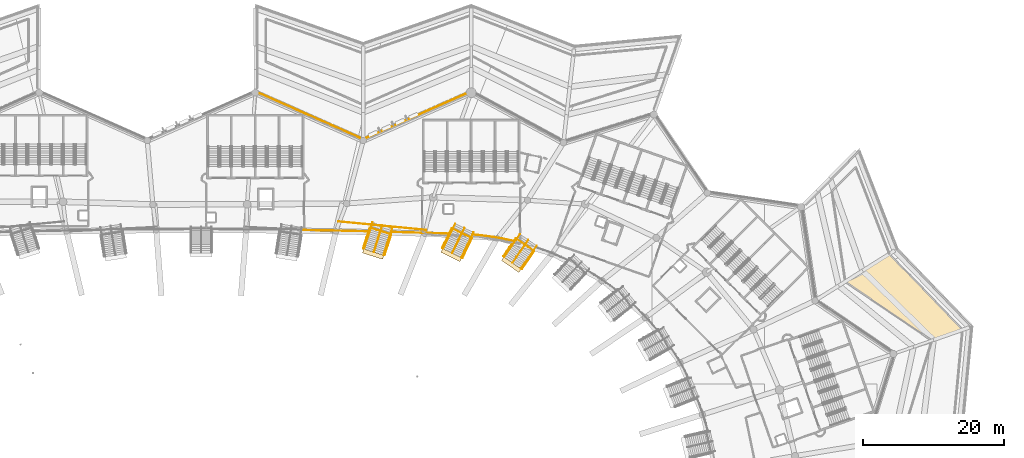
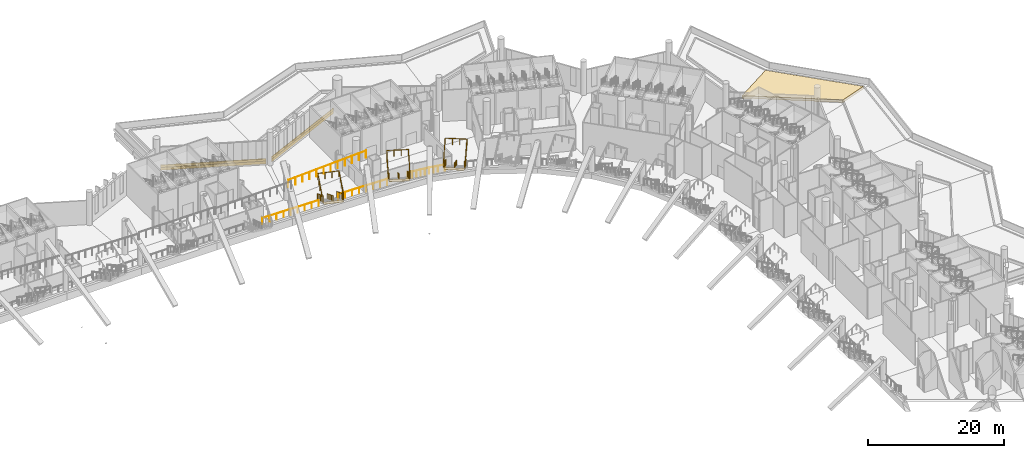
# One storey, part 166 of 173: 16 railings, 8 coverings.
"""IFC4 building model written with IfcOpenShell, lengths in metres."""

from ifc_helpers import new_model, si_unit, direction, frame, origin, origin_2d, place, context, subcontext, project, spatial, polyline, rectangle, circle, outline, extrude, material, layer, layer_set, type_object, element, save


model = new_model("IFC4")

# Units and contexts
model_context = context("Model", 3, precision=1e-05, world=origin(), true_north=direction((0.0, 1.0)))
body_context = subcontext(model_context, "Body", "Model", "MODEL_VIEW")
ifc_project = project(units=[si_unit("LENGTHUNIT", "METRE"), si_unit("AREAUNIT", "SQUARE_METRE"), si_unit("VOLUMEUNIT", "CUBIC_METRE"), si_unit("PLANEANGLEUNIT", "RADIAN"), si_unit("MASSUNIT", "GRAM", prefix="KILO")], contexts=[model_context])

# Site, building, storey
site_placement = place(None, origin())
site = spatial("IfcSite", under=ifc_project, at=site_placement, CompositionType="ELEMENT")
building_placement = place(site_placement, origin())
building = spatial("IfcBuilding", under=site, at=building_placement, Name="Meseta Stadium", CompositionType="ELEMENT")
storey_placement = place(building_placement, frame((0.0, 0.0, 18.0)))
storey = spatial("IfcBuildingStorey", under=building, at=storey_placement, Name="L03", CompositionType="ELEMENT", Elevation=18.0)

# Coverings
ifc_material_1 = material(Name="Guadarrama granite cladding", Category="masonry")
ifc_layer_1 = layer(ifc_material_1, 0.06005859375)
ifc_layer_set_1 = layer_set([ifc_layer_1], Name="Granite plinth cladding 60")
covering_type_1 = type_object("IfcCoveringType", Name="Granite plinth cladding 60", PredefinedType="CLADDING", material=ifc_layer_set_1)
covering_1_placement = place(storey_placement, frame((30.48974609375, 102.091064453125, 0.0), z_axis=(0.0, 0.0, 1.0), x_axis=(0.914139367606, 0.405400069798, 0.0)))
element("IfcCovering", 1, at=covering_1_placement, inside=storey, type_object=covering_type_1, Name="Granite plinth L03 F16", PredefinedType="CLADDING", context=body_context, shape_type="SweptSolid", body=[
    extrude(rectangle(XDim=15.384521484375, YDim=0.06005859375, at=origin_2d()), origin(), (0.0, 0.0, 1.0), 0.5),
])
covering_2_placement = place(storey_placement, frame((15.4189453125, 102.131591796875, 0.0), z_axis=(0.0, 0.0, 1.0), x_axis=(0.914139367606, -0.405400069798, 0.0)))
element("IfcCovering", 2, at=covering_2_placement, inside=storey, type_object=covering_type_1, Name="Granite plinth L03 F17", PredefinedType="CLADDING", context=body_context, shape_type="SweptSolid", body=[
    extrude(rectangle(XDim=15.58447265625, YDim=0.06005859375, at=origin_2d()), origin(), (0.0, 0.0, 1.0), 0.5),
])
ifc_material_2 = material(Name="Planting soil")
ifc_layer_2 = layer(ifc_material_2, 0.449951171875)
ifc_layer_set_2 = layer_set([ifc_layer_2], Name="Planting soil 450")
covering_type_2 = type_object("IfcCoveringType", Name="Planting soil 450", PredefinedType="FLOORING", material=ifc_layer_set_2)
covering_3_placement = place(storey_placement, origin())
element("IfcCovering", 3, at=covering_3_placement, inside=storey, type_object=covering_type_2, Name="Roof garden planting bed 1.1 panel 02", PredefinedType="FLOORING", context=body_context, shape_type="SweptSolid", body=[
    extrude(outline(polyline([(91.45068359375, 78.55859375), (103.7548828125, 70.20947265625), (108.0947265625, 71.727783203125), (97.7158203125, 82.48095703125), (97.711181640625, 82.492431640625), (91.45068359375, 78.55859375)])), origin(), (0.0, 0.0, 1.0), 0.449951171875),
])

# Railings
ifc_material_3 = material(Name="Steel S355", Category="steel")
railing_type_1 = type_object("IfcRailingType", Name="Plate edge guard 1100", PredefinedType="GUARDRAIL", material=ifc_material_3)
railing_1_placement = place(storey_placement, frame((44.42919921875, 84.310791015625, 0.0)))
element("IfcRailing", 4, at=railing_1_placement, inside=storey, type_object=railing_type_1, Name="L03 inner edge guard 16", PredefinedType="GUARDRAIL", context=body_context, shape_type="SweptSolid", body=[
    extrude(circle(Radius=0.02490234375, at=origin_2d()), frame((0.0, 0.0, 1.0751953125), z_axis=(-0.975167932407, 0.221466709924, 0.0), x_axis=(-0.221466709924, -0.975167932407, 0.0)), (0.0, 0.0, 1.0), 1.093505859375),
    extrude(circle(Radius=0.02490234375, at=origin_2d()), frame((-1.06640625, 0.2421875, 1.0751953125), z_axis=(-0.982401631843, 0.18678071033, 0.0), x_axis=(-0.18678071033, -0.982401631843, 0.0)), (0.0, 0.0, 1.0), 1.354248046875),
    extrude(circle(Radius=0.02490234375, at=origin_2d()), frame((-2.396728515625, 0.4951171875, 1.0751953125), z_axis=(-0.988417493259, 0.151759213954, 0.0), x_axis=(-0.151759213954, -0.988417493259, 0.0)), (0.0, 0.0, 1.0), 1.3544921875),
    extrude(circle(Radius=0.02490234375, at=origin_2d()), frame((-3.735595703125, 0.70068359375, 1.0751953125), z_axis=(-0.993204606365, 0.116381312482, 0.0), x_axis=(-0.116381312482, -0.993204606365, 0.0)), (0.0, 0.0, 1.0), 1.355224609375),
    extrude(circle(Radius=0.02490234375, at=origin_2d()), frame((-5.08154296875, 0.8583984375, 1.0751953125), z_axis=(-0.996729823051, 0.080806310654, 0.0), x_axis=(-0.080806310654, -0.996729823051, 0.0)), (0.0, 0.0, 1.0), 0.685791015625),
    extrude(circle(Radius=0.02001953125, at=origin_2d()), origin(), (0.0, 0.0, 1.0), 1.050048828125),
    extrude(circle(Radius=0.02001953125, at=origin_2d()), frame((-1.06640625, 0.2421875, 0.0)), (0.0, 0.0, 1.0), 1.050048828125),
    extrude(circle(Radius=0.02001953125, at=origin_2d()), frame((-1.7314453125, 0.36865234375, 0.0)), (0.0, 0.0, 1.0), 1.050048828125),
    extrude(circle(Radius=0.02001953125, at=origin_2d()), frame((-2.396728515625, 0.4951171875, 0.0)), (0.0, 0.0, 1.0), 1.050048828125),
    extrude(circle(Radius=0.02001953125, at=origin_2d()), frame((-3.066162109375, 0.597900390625, 0.0)), (0.0, 0.0, 1.0), 1.050048828125),
    extrude(circle(Radius=0.02001953125, at=origin_2d()), frame((-3.735595703125, 0.70068359375, 0.0)), (0.0, 0.0, 1.0), 1.050048828125),
    extrude(circle(Radius=0.02001953125, at=origin_2d()), frame((-4.40869140625, 0.779541015625, 0.0)), (0.0, 0.0, 1.0), 1.050048828125),
    extrude(circle(Radius=0.02001953125, at=origin_2d()), frame((-5.08154296875, 0.8583984375, 0.0)), (0.0, 0.0, 1.0), 1.050048828125),
    extrude(circle(Radius=0.02001953125, at=origin_2d()), frame((-5.76513671875, 0.913818359375, 0.0)), (0.0, 0.0, 1.0), 1.050048828125),
])
railing_2_placement = place(storey_placement, frame((35.2412109375, 85.368408203125, 0.0)))
element("IfcRailing", 5, at=railing_2_placement, inside=storey, type_object=railing_type_1, Name="L03 inner edge guard 17", PredefinedType="GUARDRAIL", context=body_context, shape_type="SweptSolid", body=[
    extrude(circle(Radius=0.02490234375, at=origin_2d()), frame((0.0, 0.0, 1.0751953125), z_axis=(-0.999521144506, 0.030943200959, 0.0), x_axis=(-0.030943200959, -0.999521144506, 0.0)), (0.0, 0.0, 1.0), 3.503173828125),
    extrude(circle(Radius=0.02490234375, at=origin_2d()), frame((-3.50146484375, 0.1083984375, 1.0751953125), z_axis=(-0.999597396645, 0.028373308227, 0.0), x_axis=(-0.028373308227, -0.999597396645, 0.0)), (0.0, 0.0, 1.0), 4.67236328125),
    extrude(circle(Radius=0.02001953125, at=origin_2d()), origin(), (0.0, 0.0, 1.0), 1.050048828125),
    extrude(circle(Radius=0.02001953125, at=origin_2d()), frame((-1.167236328125, 0.0361328125, 0.0)), (0.0, 0.0, 1.0), 1.050048828125),
    extrude(circle(Radius=0.02001953125, at=origin_2d()), frame((-2.334228515625, 0.072265625, 0.0)), (0.0, 0.0, 1.0), 1.050048828125),
    extrude(circle(Radius=0.02001953125, at=origin_2d()), frame((-3.50146484375, 0.1083984375, 0.0)), (0.0, 0.0, 1.0), 1.050048828125),
    extrude(circle(Radius=0.02001953125, at=origin_2d()), frame((-4.6689453125, 0.1416015625, 0.0)), (0.0, 0.0, 1.0), 1.050048828125),
    extrude(circle(Radius=0.02001953125, at=origin_2d()), frame((-5.836669921875, 0.1748046875, 0.0)), (0.0, 0.0, 1.0), 1.050048828125),
    extrude(circle(Radius=0.02001953125, at=origin_2d()), frame((-7.00439453125, 0.207763671875, 0.0)), (0.0, 0.0, 1.0), 1.050048828125),
    extrude(circle(Radius=0.02001953125, at=origin_2d()), frame((-8.171875, 0.240966796875, 0.0)), (0.0, 0.0, 1.0), 1.050048828125),
])
railing_3_placement = place(storey_placement, frame((23.801513671875, 85.693115234375, 0.0)))
element("IfcRailing", 6, at=railing_3_placement, inside=storey, type_object=railing_type_1, Name="L03 inner edge guard 18", PredefinedType="GUARDRAIL", context=body_context, shape_type="SweptSolid", body=[
    extrude(circle(Radius=0.02490234375, at=origin_2d()), frame((0.0, 0.0, 1.0751953125), z_axis=(-0.99974860133, 0.022421733614, 0.0), x_axis=(-0.022421733614, -0.99974860133, 0.0)), (0.0, 0.0, 1.0), 4.68212890625),
    extrude(circle(Radius=0.02490234375, at=origin_2d()), frame((-4.680908203125, 0.10498046875, 1.0751953125), z_axis=(-0.999837325098, 0.018036721983, 0.0), x_axis=(-0.018036721983, -0.999837325098, 0.0)), (0.0, 0.0, 1.0), 4.778076171875),
    extrude(circle(Radius=0.02001953125, at=origin_2d()), origin(), (0.0, 0.0, 1.0), 1.050048828125),
    extrude(circle(Radius=0.02001953125, at=origin_2d()), frame((-1.170166015625, 0.0263671875, 0.0)), (0.0, 0.0, 1.0), 1.050048828125),
    extrude(circle(Radius=0.02001953125, at=origin_2d()), frame((-2.34033203125, 0.052490234375, 0.0)), (0.0, 0.0, 1.0), 1.050048828125),
    extrude(circle(Radius=0.02001953125, at=origin_2d()), frame((-3.5107421875, 0.07861328125, 0.0)), (0.0, 0.0, 1.0), 1.050048828125),
    extrude(circle(Radius=0.02001953125, at=origin_2d()), frame((-4.680908203125, 0.10498046875, 0.0)), (0.0, 0.0, 1.0), 1.050048828125),
    extrude(circle(Radius=0.02001953125, at=origin_2d()), frame((-5.875244140625, 0.12646484375, 0.0)), (0.0, 0.0, 1.0), 1.050048828125),
    extrude(circle(Radius=0.02001953125, at=origin_2d()), frame((-7.069580078125, 0.14794921875, 0.0)), (0.0, 0.0, 1.0), 1.050048828125),
    extrude(circle(Radius=0.02001953125, at=origin_2d()), frame((-8.263916015625, 0.169677734375, 0.0)), (0.0, 0.0, 1.0), 1.050048828125),
    extrude(circle(Radius=0.02001953125, at=origin_2d()), frame((-9.458251953125, 0.191162109375, 0.0)), (0.0, 0.0, 1.0), 1.050048828125),
])
ifc_material_4 = material(Name="Steel S355", Category="steel")
railing_type_2 = type_object("IfcRailingType", Name="Stand rear guard 1300", PredefinedType="GUARDRAIL", material=ifc_material_4)
railing_4_placement = place(storey_placement, frame((31.9423828125, 85.89501953125, 5.72802734375)))
element("IfcRailing", 7, at=railing_4_placement, inside=storey, type_object=railing_type_2, Name="Stand upper tier rear guard bay 17", PredefinedType="GUARDRAIL", context=body_context, shape_type="SweptSolid", body=[
    extrude(circle(Radius=0.02490234375, at=origin_2d()), frame((0.0, 0.0, 1.27490234375), z_axis=(-0.986940662175, 0.095342978526, -0.129837767196), x_axis=(-0.096156922731, -0.995366186994, 0.0)), (0.0, 0.0, 1.0), 12.65478515625),
    extrude(circle(Radius=0.02001953125, at=origin_2d()), origin(), (0.0, 0.0, 1.0), 1.25),
    extrude(circle(Radius=0.02001953125, at=origin_2d()), frame((-1.135498046875, 0.109619140625, -0.1494140625)), (0.0, 0.0, 1.0), 1.25),
    extrude(circle(Radius=0.02001953125, at=origin_2d()), frame((-2.270751953125, 0.219482421875, -0.298828125)), (0.0, 0.0, 1.0), 1.25),
    extrude(circle(Radius=0.02001953125, at=origin_2d()), frame((-3.40625, 0.3291015625, -0.447998046875)), (0.0, 0.0, 1.0), 1.25),
    extrude(circle(Radius=0.02001953125, at=origin_2d()), frame((-4.541748046875, 0.438720703125, -0.597412109375)), (0.0, 0.0, 1.0), 1.25),
    extrude(circle(Radius=0.02001953125, at=origin_2d()), frame((-5.677001953125, 0.54833984375, -0.746826171875)), (0.0, 0.0, 1.0), 1.25),
    extrude(circle(Radius=0.02001953125, at=origin_2d()), frame((-6.8125, 0.658203125, -0.896240234375)), (0.0, 0.0, 1.0), 1.25),
    extrude(circle(Radius=0.02001953125, at=origin_2d()), frame((-7.94775390625, 0.767822265625, -1.045654296875)), (0.0, 0.0, 1.0), 1.25),
    extrude(circle(Radius=0.02001953125, at=origin_2d()), frame((-9.083251953125, 0.87744140625, -1.195068359375)), (0.0, 0.0, 1.0), 1.25),
    extrude(circle(Radius=0.02001953125, at=origin_2d()), frame((-10.21875, 0.987060546875, -1.34423828125)), (0.0, 0.0, 1.0), 1.25),
    extrude(circle(Radius=0.02001953125, at=origin_2d()), frame((-11.35400390625, 1.096923828125, -1.49365234375)), (0.0, 0.0, 1.0), 1.25),
    extrude(circle(Radius=0.02001953125, at=origin_2d()), frame((-12.489501953125, 1.20654296875, -1.64306640625)), (0.0, 0.0, 1.0), 1.25),
])

# Coverings
ifc_material_5 = material(Name="Precast concrete C40/50, terracotta pigment", Category="masonry")
ifc_layer_3 = layer(ifc_material_5, 0.080078125)
ifc_layer_set_3 = layer_set([ifc_layer_3], Name="Precast concrete C40/50, terracotta pigment")
covering_type_3 = type_object("IfcCoveringType", Name="Terracotta precast band 80", PredefinedType="CLADDING", material=ifc_layer_set_3)
covering_4_placement = place(storey_placement, frame((30.485595703125, 102.10009765625, 0.5), z_axis=(0.0, 0.0, 1.0), x_axis=(0.914139367606, 0.405400069798, 0.0)))
element("IfcCovering", 8, at=covering_4_placement, inside=storey, type_object=covering_type_3, Name="Terracotta band L03 F16", PredefinedType="CLADDING", context=body_context, shape_type="SweptSolid", body=[
    extrude(rectangle(XDim=15.384521484375, YDim=0.080078125, at=origin_2d()), origin(), (0.0, 0.0, 1.0), 0.449951171875),
])
covering_5_placement = place(storey_placement, frame((15.423095703125, 102.140625, 0.5), z_axis=(0.0, 0.0, 1.0), x_axis=(0.914139367606, -0.405400069798, 0.0)))
element("IfcCovering", 9, at=covering_5_placement, inside=storey, type_object=covering_type_3, Name="Terracotta band L03 F17", PredefinedType="CLADDING", context=body_context, shape_type="SweptSolid", body=[
    extrude(rectangle(XDim=15.58447265625, YDim=0.080078125, at=origin_2d()), origin(), (0.0, 0.0, 1.0), 0.449951171875),
])
ifc_material_6 = material(Name="Stone paving", Category="masonry")
ifc_layer_4 = layer(ifc_material_6, 0.02001953125)
ifc_layer_set_4 = layer_set([ifc_layer_4], Name="Vomitory exit threshold plate 20")
covering_type_4 = type_object("IfcCoveringType", Name="Vomitory exit threshold plate 20", PredefinedType="FLOORING", material=ifc_layer_set_4)
for number, where, z_axis, x_axis, name in (
    (10, (44.034423828125, 80.973876953125, 2.451416015625), (0.0, 0.0, 1.0), (-0.567899772853, -0.82309771473, 0.0), "Vomitory V-upper-15 exit threshold"),
    (11, (35.51220703125, 82.339599609375, 2.5791015625), (0.0, 0.0, 1.0), (-0.437966379942, -0.898991351483, 0.0), "Vomitory V-upper-16 exit threshold"),
    (12, (24.425537109375, 82.470458984375, 2.455322265625), (0.0, 0.0, 1.0), (-0.302579501013, -0.953124150133, 0.0), "Vomitory V-upper-17 exit threshold"),
):
    element("IfcCovering", number, at=place(storey_placement, frame(where, z_axis=z_axis, x_axis=x_axis)), inside=storey, type_object=covering_type_4, Name=name, PredefinedType="FLOORING", context=body_context, shape_type="SweptSolid", body=[
        extrude(rectangle(XDim=0.60009765625, YDim=3.0, at=origin_2d()), origin(), (0.0, 0.0, 1.0), 0.02001953125),
    ])

# Railings
ifc_material_7 = material(Name="Steel S355", Category="steel")
railing_type_3 = type_object("IfcRailingType", Name="Vomitory slot guard 1100", PredefinedType="GUARDRAIL", material=ifc_material_7)
railing_5_placement = place(storey_placement, frame((42.906982421875, 82.157470703125, 2.471435546875)))
element("IfcRailing", 13, at=railing_5_placement, inside=storey, type_object=railing_type_3, Name="Vomitory V-upper-15 slot guard", PredefinedType="GUARDRAIL", context=body_context, shape_type="SweptSolid", body=[
    extrude(circle(Radius=0.02490234375, at=origin_2d()), frame((0.0, 0.0, 1.0751953125), z_axis=(0.48158808882, 0.697972142041, 0.530007359988), x_axis=(-0.823087110293, 0.567915142314, 0.0)), (0.0, 0.0, 1.0), 3.655517578125),
    extrude(circle(Radius=0.02490234375, at=origin_2d()), frame((1.760498046875, 2.551513671875, 3.0126953125), z_axis=(0.8231303975, -0.567852400463, 0.0), x_axis=(0.567852400463, 0.8231303975, 0.0)), (0.0, 0.0, 1.0), 3.199951171875),
    extrude(circle(Radius=0.02490234375, at=origin_2d()), frame((4.39453125, 0.734375, 3.0126953125), z_axis=(-0.481565640467, -0.698006389428, -0.529982654659), x_axis=(0.823112509059, -0.567878329777, 0.0)), (0.0, 0.0, 1.0), 3.65576171875),
    extrude(circle(Radius=0.02001953125, at=origin_2d()), origin(), (0.0, 0.0, 1.0), 1.050048828125),
    extrude(circle(Radius=0.02001953125, at=origin_2d()), frame((0.440185546875, 0.637939453125, 0.484375)), (0.0, 0.0, 1.0), 1.050048828125),
    extrude(circle(Radius=0.02001953125, at=origin_2d()), frame((0.88037109375, 1.27587890625, 0.96875)), (0.0, 0.0, 1.0), 1.050048828125),
    extrude(circle(Radius=0.02001953125, at=origin_2d()), frame((1.3203125, 1.91357421875, 1.453125)), (0.0, 0.0, 1.0), 1.050048828125),
    extrude(circle(Radius=0.02001953125, at=origin_2d()), frame((1.760498046875, 2.551513671875, 1.9375)), (0.0, 0.0, 1.0), 1.050048828125),
    extrude(circle(Radius=0.02001953125, at=origin_2d()), frame((2.638427734375, 1.94580078125, 1.9375)), (0.0, 0.0, 1.0), 1.050048828125),
    extrude(circle(Radius=0.02001953125, at=origin_2d()), frame((3.5166015625, 1.340087890625, 1.9375)), (0.0, 0.0, 1.0), 1.050048828125),
    extrude(circle(Radius=0.02001953125, at=origin_2d()), frame((4.39453125, 0.734375, 1.9375)), (0.0, 0.0, 1.0), 1.050048828125),
    extrude(circle(Radius=0.02001953125, at=origin_2d()), frame((3.954345703125, 0.096435546875, 1.453125)), (0.0, 0.0, 1.0), 1.050048828125),
    extrude(circle(Radius=0.02001953125, at=origin_2d()), frame((3.51416015625, -0.54150390625, 0.96875)), (0.0, 0.0, 1.0), 1.050048828125),
    extrude(circle(Radius=0.02001953125, at=origin_2d()), frame((3.07421875, -1.179443359375, 0.484375)), (0.0, 0.0, 1.0), 1.050048828125),
    extrude(circle(Radius=0.02001953125, at=origin_2d()), frame((2.634033203125, -1.8173828125, 0.0)), (0.0, 0.0, 1.0), 1.050048828125),
])
railing_6_placement = place(storey_placement, frame((34.219970703125, 83.340576171875, 2.59912109375)))
element("IfcRailing", 14, at=railing_6_placement, inside=storey, type_object=railing_type_3, Name="Vomitory V-upper-16 slot guard", PredefinedType="GUARDRAIL", context=body_context, shape_type="SweptSolid", body=[
    extrude(circle(Radius=0.02490234375, at=origin_2d()), frame((0.0, 0.0, 1.0751953125), z_axis=(0.371388345082, 0.762344534996, 0.53000142179), x_axis=(-0.898994639312, 0.437959631118, 0.0)), (0.0, 0.0, 1.0), 3.65576171875),
    extrude(circle(Radius=0.02490234375, at=origin_2d()), frame((1.357666015625, 2.786865234375, 3.0126953125), z_axis=(0.899017594614, -0.437912507899, 0.0), x_axis=(0.437912507899, 0.899017594614, 0.0)), (0.0, 0.0, 1.0), 3.2001953125),
    extrude(circle(Radius=0.02490234375, at=origin_2d()), frame((4.234619140625, 1.385498046875, 3.0126953125), z_axis=(-0.37144591586, -0.762325625593, -0.529988275489), x_axis=(0.898963630227, -0.438023277383, 0.0)), (0.0, 0.0, 1.0), 3.65576171875),
    extrude(circle(Radius=0.02001953125, at=origin_2d()), origin(), (0.0, 0.0, 1.0), 1.050048828125),
    extrude(circle(Radius=0.02001953125, at=origin_2d()), frame((0.33935546875, 0.69677734375, 0.484375)), (0.0, 0.0, 1.0), 1.050048828125),
    extrude(circle(Radius=0.02001953125, at=origin_2d()), frame((0.6787109375, 1.3935546875, 0.96875)), (0.0, 0.0, 1.0), 1.050048828125),
    extrude(circle(Radius=0.02001953125, at=origin_2d()), frame((1.018310546875, 2.090087890625, 1.453125)), (0.0, 0.0, 1.0), 1.050048828125),
    extrude(circle(Radius=0.02001953125, at=origin_2d()), frame((1.357666015625, 2.786865234375, 1.9375)), (0.0, 0.0, 1.0), 1.050048828125),
    extrude(circle(Radius=0.02001953125, at=origin_2d()), frame((2.316650390625, 2.31982421875, 1.9375)), (0.0, 0.0, 1.0), 1.050048828125),
    extrude(circle(Radius=0.02001953125, at=origin_2d()), frame((3.275634765625, 1.8525390625, 1.9375)), (0.0, 0.0, 1.0), 1.050048828125),
    extrude(circle(Radius=0.02001953125, at=origin_2d()), frame((4.234619140625, 1.385498046875, 1.9375)), (0.0, 0.0, 1.0), 1.050048828125),
    extrude(circle(Radius=0.02001953125, at=origin_2d()), frame((3.89501953125, 0.688720703125, 1.453125)), (0.0, 0.0, 1.0), 1.050048828125),
    extrude(circle(Radius=0.02001953125, at=origin_2d()), frame((3.5556640625, -0.0078125, 0.96875)), (0.0, 0.0, 1.0), 1.050048828125),
    extrude(circle(Radius=0.02001953125, at=origin_2d()), frame((3.21630859375, -0.70458984375, 0.484375)), (0.0, 0.0, 1.0), 1.050048828125),
    extrude(circle(Radius=0.02001953125, at=origin_2d()), frame((2.876708984375, -1.4013671875, 0.0)), (0.0, 0.0, 1.0), 1.050048828125),
])
railing_7_placement = place(storey_placement, frame((23.001708984375, 83.27294921875, 2.475341796875)))
element("IfcRailing", 15, at=railing_7_placement, inside=storey, type_object=railing_type_3, Name="Vomitory V-upper-17 slot guard", PredefinedType="GUARDRAIL", context=body_context, shape_type="SweptSolid", body=[
    extrude(circle(Radius=0.02490234375, at=origin_2d()), frame((0.0, 0.0, 1.0751953125), z_axis=(0.25659020607, 0.808239113447, 0.530010378807), x_axis=(-0.95312210395, 0.302585946404, 0.0)), (0.0, 0.0, 1.0), 3.655517578125),
    extrude(circle(Radius=0.02490234375, at=origin_2d()), frame((0.93798828125, 2.95458984375, 3.0126953125), z_axis=(0.953124965633, -0.302576932178, 0.0), x_axis=(0.302576932178, 0.953124965633, 0.0)), (0.0, 0.0, 1.0), 3.199951171875),
    extrude(circle(Radius=0.02490234375, at=origin_2d()), frame((3.988037109375, 1.986328125, 3.0126953125), z_axis=(-0.25659020607, -0.808239113447, -0.530010378807), x_axis=(0.95312210395, -0.302585946404, 0.0)), (0.0, 0.0, 1.0), 3.655517578125),
    extrude(circle(Radius=0.02001953125, at=origin_2d()), origin(), (0.0, 0.0, 1.0), 1.050048828125),
    extrude(circle(Radius=0.02001953125, at=origin_2d()), frame((0.234375, 0.73876953125, 0.484375)), (0.0, 0.0, 1.0), 1.050048828125),
    extrude(circle(Radius=0.02001953125, at=origin_2d()), frame((0.468994140625, 1.477294921875, 0.96875)), (0.0, 0.0, 1.0), 1.050048828125),
    extrude(circle(Radius=0.02001953125, at=origin_2d()), frame((0.70361328125, 2.2158203125, 1.453125)), (0.0, 0.0, 1.0), 1.050048828125),
    extrude(circle(Radius=0.02001953125, at=origin_2d()), frame((0.93798828125, 2.95458984375, 1.9375)), (0.0, 0.0, 1.0), 1.050048828125),
    extrude(circle(Radius=0.02001953125, at=origin_2d()), frame((1.95458984375, 2.6318359375, 1.9375)), (0.0, 0.0, 1.0), 1.050048828125),
    extrude(circle(Radius=0.02001953125, at=origin_2d()), frame((2.971435546875, 2.30908203125, 1.9375)), (0.0, 0.0, 1.0), 1.050048828125),
    extrude(circle(Radius=0.02001953125, at=origin_2d()), frame((3.988037109375, 1.986328125, 1.9375)), (0.0, 0.0, 1.0), 1.050048828125),
    extrude(circle(Radius=0.02001953125, at=origin_2d()), frame((3.75341796875, 1.24755859375, 1.453125)), (0.0, 0.0, 1.0), 1.050048828125),
    extrude(circle(Radius=0.02001953125, at=origin_2d()), frame((3.51904296875, 0.509033203125, 0.96875)), (0.0, 0.0, 1.0), 1.050048828125),
    extrude(circle(Radius=0.02001953125, at=origin_2d()), frame((3.28466796875, -0.2294921875, 0.484375)), (0.0, 0.0, 1.0), 1.050048828125),
    extrude(circle(Radius=0.02001953125, at=origin_2d()), frame((3.050048828125, -0.96826171875, 0.0)), (0.0, 0.0, 1.0), 1.050048828125),
])
ifc_material_8 = material(Name="Steel S355", Category="steel")
railing_type_4 = type_object("IfcRailingType", Name="Vomitory stair guard 1100", PredefinedType="GUARDRAIL", material=ifc_material_8)
for number, where, name in (
    (16, (47.643798828125, 83.65185546875, 0.164794921875), "Vomitory V-upper-15 guard left"),
    (17, (45.2568359375, 85.298828125, 0.164794921875), "Vomitory V-upper-15 guard right"),
):
    element("IfcRailing", number, at=place(storey_placement, frame(where)), inside=storey, type_object=railing_type_4, Name=name, PredefinedType="GUARDRAIL", context=body_context, shape_type="SweptSolid", body=[
        extrude(circle(Radius=0.02490234375, at=origin_2d()), frame((0.0, 0.0, 1.0751953125), z_axis=(-0.489474665706, -0.70938668516, 0.507134185941), x_axis=(0.823081280051, -0.567923592069, 0.0)), (0.0, 0.0, 1.0), 4.54833984375),
        extrude(circle(Radius=0.02001953125, at=origin_2d()), origin(), (0.0, 0.0, 1.0), 1.050048828125),
        extrude(circle(Radius=0.02001953125, at=origin_2d()), frame((-0.556640625, -0.806640625, 0.57666015625)), (0.0, 0.0, 1.0), 1.050048828125),
        extrude(circle(Radius=0.02001953125, at=origin_2d()), frame((-1.11328125, -1.61328125, 1.1533203125)), (0.0, 0.0, 1.0), 1.050048828125),
        extrude(circle(Radius=0.02001953125, at=origin_2d()), frame((-1.669677734375, -2.419921875, 1.72998046875)), (0.0, 0.0, 1.0), 1.050048828125),
        extrude(circle(Radius=0.02001953125, at=origin_2d()), frame((-2.226318359375, -3.2265625, 2.306640625)), (0.0, 0.0, 1.0), 1.050048828125),
    ])
railing_8_placement = place(storey_placement, frame((38.6787109375, 85.52880859375, 0.17333984375)))
element("IfcRailing", 18, at=railing_8_placement, inside=storey, type_object=railing_type_4, Name="Vomitory V-upper-16 guard left", PredefinedType="GUARDRAIL", context=body_context, shape_type="SweptSolid", body=[
    extrude(circle(Radius=0.02490234375, at=origin_2d()), frame((0.0, 0.0, 1.0751953125), z_axis=(-0.372426766829, -0.764449367521, 0.526227581799), x_axis=(0.898988611266, -0.437972004602, 0.0)), (0.0, 0.0, 1.0), 4.60986328125),
    extrude(circle(Radius=0.02001953125, at=origin_2d()), origin(), (0.0, 0.0, 1.0), 1.050048828125),
    extrude(circle(Radius=0.02001953125, at=origin_2d()), frame((-0.42919921875, -0.880859375, 0.6064453125)), (0.0, 0.0, 1.0), 1.050048828125),
    extrude(circle(Radius=0.02001953125, at=origin_2d()), frame((-0.8583984375, -1.761962890625, 1.212890625)), (0.0, 0.0, 1.0), 1.050048828125),
    extrude(circle(Radius=0.02001953125, at=origin_2d()), frame((-1.28759765625, -2.64306640625, 1.8193359375)), (0.0, 0.0, 1.0), 1.050048828125),
    extrude(circle(Radius=0.02001953125, at=origin_2d()), frame((-1.716796875, -3.52392578125, 2.42578125)), (0.0, 0.0, 1.0), 1.050048828125),
])
railing_9_placement = place(storey_placement, frame((36.07177734375, 86.799072265625, 0.17333984375)))
element("IfcRailing", 19, at=railing_9_placement, inside=storey, type_object=railing_type_4, Name="Vomitory V-upper-16 guard right", PredefinedType="GUARDRAIL", context=body_context, shape_type="SweptSolid", body=[
    extrude(circle(Radius=0.02490234375, at=origin_2d()), frame((0.0, 0.0, 1.0751953125), z_axis=(-0.372411688948, -0.764471377981, 0.526206277217), x_axis=(0.899000557299, -0.437947483126, 0.0)), (0.0, 0.0, 1.0), 4.60986328125),
    extrude(circle(Radius=0.02001953125, at=origin_2d()), origin(), (0.0, 0.0, 1.0), 1.050048828125),
    extrude(circle(Radius=0.02001953125, at=origin_2d()), frame((-0.42919921875, -0.881103515625, 0.6064453125)), (0.0, 0.0, 1.0), 1.050048828125),
    extrude(circle(Radius=0.02001953125, at=origin_2d()), frame((-0.8583984375, -1.76220703125, 1.212890625)), (0.0, 0.0, 1.0), 1.050048828125),
    extrude(circle(Radius=0.02001953125, at=origin_2d()), frame((-1.28759765625, -2.64306640625, 1.8193359375)), (0.0, 0.0, 1.0), 1.050048828125),
    extrude(circle(Radius=0.02001953125, at=origin_2d()), frame((-1.716796875, -3.524169921875, 2.42578125)), (0.0, 0.0, 1.0), 1.050048828125),
])
railing_10_placement = place(storey_placement, frame((27.0947265625, 86.086181640625, 0.1650390625)))
element("IfcRailing", 20, at=railing_10_placement, inside=storey, type_object=railing_type_4, Name="Vomitory V-upper-17 guard left", PredefinedType="GUARDRAIL", context=body_context, shape_type="SweptSolid", body=[
    extrude(circle(Radius=0.02490234375, at=origin_2d()), frame((0.0, 0.0, 1.0751953125), z_axis=(-0.260667056891, -0.82111732639, 0.507758822429), x_axis=(0.953125977826, -0.302573743728, 0.0)), (0.0, 0.0, 1.0), 4.550048828125),
    extrude(circle(Radius=0.02001953125, at=origin_2d()), origin(), (0.0, 0.0, 1.0), 1.050048828125),
    extrude(circle(Radius=0.02001953125, at=origin_2d()), frame((-0.29638671875, -0.93408203125, 0.57763671875)), (0.0, 0.0, 1.0), 1.050048828125),
    extrude(circle(Radius=0.02001953125, at=origin_2d()), frame((-0.593017578125, -1.8681640625, 1.1552734375)), (0.0, 0.0, 1.0), 1.050048828125),
    extrude(circle(Radius=0.02001953125, at=origin_2d()), frame((-0.8896484375, -2.802001953125, 1.732666015625)), (0.0, 0.0, 1.0), 1.050048828125),
    extrude(circle(Radius=0.02001953125, at=origin_2d()), frame((-1.18603515625, -3.736083984375, 2.310302734375)), (0.0, 0.0, 1.0), 1.050048828125),
])
railing_11_placement = place(storey_placement, frame((24.330810546875, 86.9638671875, 0.1650390625)))
element("IfcRailing", 21, at=railing_11_placement, inside=storey, type_object=railing_type_4, Name="Vomitory V-upper-17 guard right", PredefinedType="GUARDRAIL", context=body_context, shape_type="SweptSolid", body=[
    extrude(circle(Radius=0.02490234375, at=origin_2d()), frame((0.0, 0.0, 1.0751953125), z_axis=(-0.260655572565, -0.82113480497, 0.507736451871), x_axis=(0.953131679436, -0.302555782717, 0.0)), (0.0, 0.0, 1.0), 4.55029296875),
    extrude(circle(Radius=0.02001953125, at=origin_2d()), origin(), (0.0, 0.0, 1.0), 1.050048828125),
    extrude(circle(Radius=0.02001953125, at=origin_2d()), frame((-0.29638671875, -0.93408203125, 0.57763671875)), (0.0, 0.0, 1.0), 1.050048828125),
    extrude(circle(Radius=0.02001953125, at=origin_2d()), frame((-0.593017578125, -1.8681640625, 1.1552734375)), (0.0, 0.0, 1.0), 1.050048828125),
    extrude(circle(Radius=0.02001953125, at=origin_2d()), frame((-0.8896484375, -2.80224609375, 1.732666015625)), (0.0, 0.0, 1.0), 1.050048828125),
    extrude(circle(Radius=0.02001953125, at=origin_2d()), frame((-1.18603515625, -3.736328125, 2.310302734375)), (0.0, 0.0, 1.0), 1.050048828125),
])
ifc_material_9 = material(Name="Steel S355", Category="steel")
railing_type_5 = type_object("IfcRailingType", Name="Vomitory stair handrail 900", PredefinedType="HANDRAIL", material=ifc_material_9)
railing_12_placement = place(storey_placement, frame((46.4501953125, 84.475341796875, 0.164794921875)))
element("IfcRailing", 22, at=railing_12_placement, inside=storey, type_object=railing_type_5, Name="Vomitory V-upper-15 central handrail", PredefinedType="HANDRAIL", context=body_context, shape_type="SweptSolid", body=[
    extrude(circle(Radius=0.02490234375, at=origin_2d()), frame((0.0, 0.0, 0.875), z_axis=(-0.489433847818, -0.709405322741, 0.507147509781), x_axis=(0.82311039222, -0.567881398022, 0.0)), (0.0, 0.0, 1.0), 4.54833984375),
    extrude(circle(Radius=0.02001953125, at=origin_2d()), origin(), (0.0, 0.0, 1.0), 0.849853515625),
    extrude(circle(Radius=0.02001953125, at=origin_2d()), frame((-0.556640625, -0.806640625, 0.57666015625)), (0.0, 0.0, 1.0), 0.849853515625),
    extrude(circle(Radius=0.02001953125, at=origin_2d()), frame((-1.113037109375, -1.61328125, 1.1533203125)), (0.0, 0.0, 1.0), 0.849853515625),
    extrude(circle(Radius=0.02001953125, at=origin_2d()), frame((-1.66943359375, -2.419921875, 1.72998046875)), (0.0, 0.0, 1.0), 0.849853515625),
    extrude(circle(Radius=0.02001953125, at=origin_2d()), frame((-2.22607421875, -3.2265625, 2.306640625)), (0.0, 0.0, 1.0), 0.849853515625),
])
railing_13_placement = place(storey_placement, frame((37.375244140625, 86.1640625, 0.17333984375)))
element("IfcRailing", 23, at=railing_13_placement, inside=storey, type_object=railing_type_5, Name="Vomitory V-upper-16 central handrail", PredefinedType="HANDRAIL", context=body_context, shape_type="SweptSolid", body=[
    extrude(circle(Radius=0.02490234375, at=origin_2d()), frame((0.0, 0.0, 0.875), z_axis=(-0.372411688948, -0.764471377981, 0.526206277217), x_axis=(0.899000557299, -0.437947483126, 0.0)), (0.0, 0.0, 1.0), 4.60986328125),
    extrude(circle(Radius=0.02001953125, at=origin_2d()), origin(), (0.0, 0.0, 1.0), 0.849853515625),
    extrude(circle(Radius=0.02001953125, at=origin_2d()), frame((-0.42919921875, -0.881103515625, 0.6064453125)), (0.0, 0.0, 1.0), 0.849853515625),
    extrude(circle(Radius=0.02001953125, at=origin_2d()), frame((-0.8583984375, -1.76220703125, 1.212890625)), (0.0, 0.0, 1.0), 0.849853515625),
    extrude(circle(Radius=0.02001953125, at=origin_2d()), frame((-1.28759765625, -2.64306640625, 1.8193359375)), (0.0, 0.0, 1.0), 0.849853515625),
    extrude(circle(Radius=0.02001953125, at=origin_2d()), frame((-1.716796875, -3.524169921875, 2.42578125)), (0.0, 0.0, 1.0), 0.849853515625),
])
railing_14_placement = place(storey_placement, frame((25.712890625, 86.52490234375, 0.1650390625)))
element("IfcRailing", 24, at=railing_14_placement, inside=storey, type_object=railing_type_5, Name="Vomitory V-upper-17 central handrail", PredefinedType="HANDRAIL", context=body_context, shape_type="SweptSolid", body=[
    extrude(circle(Radius=0.02490234375, at=origin_2d()), frame((0.0, 0.0, 0.875), z_axis=(-0.260717067252, -0.82110584074, 0.507751719984), x_axis=(0.953108014461, -0.302630323614, 0.0)), (0.0, 0.0, 1.0), 4.550048828125),
    extrude(circle(Radius=0.02001953125, at=origin_2d()), origin(), (0.0, 0.0, 1.0), 0.849853515625),
    extrude(circle(Radius=0.02001953125, at=origin_2d()), frame((-0.296630859375, -0.93408203125, 0.57763671875)), (0.0, 0.0, 1.0), 0.849853515625),
    extrude(circle(Radius=0.02001953125, at=origin_2d()), frame((-0.59326171875, -1.8681640625, 1.1552734375)), (0.0, 0.0, 1.0), 0.849853515625),
    extrude(circle(Radius=0.02001953125, at=origin_2d()), frame((-0.8896484375, -2.802001953125, 1.732666015625)), (0.0, 0.0, 1.0), 0.849853515625),
    extrude(circle(Radius=0.02001953125, at=origin_2d()), frame((-1.186279296875, -3.736083984375, 2.310302734375)), (0.0, 0.0, 1.0), 0.849853515625),
])

save(model, "model.ifc")
